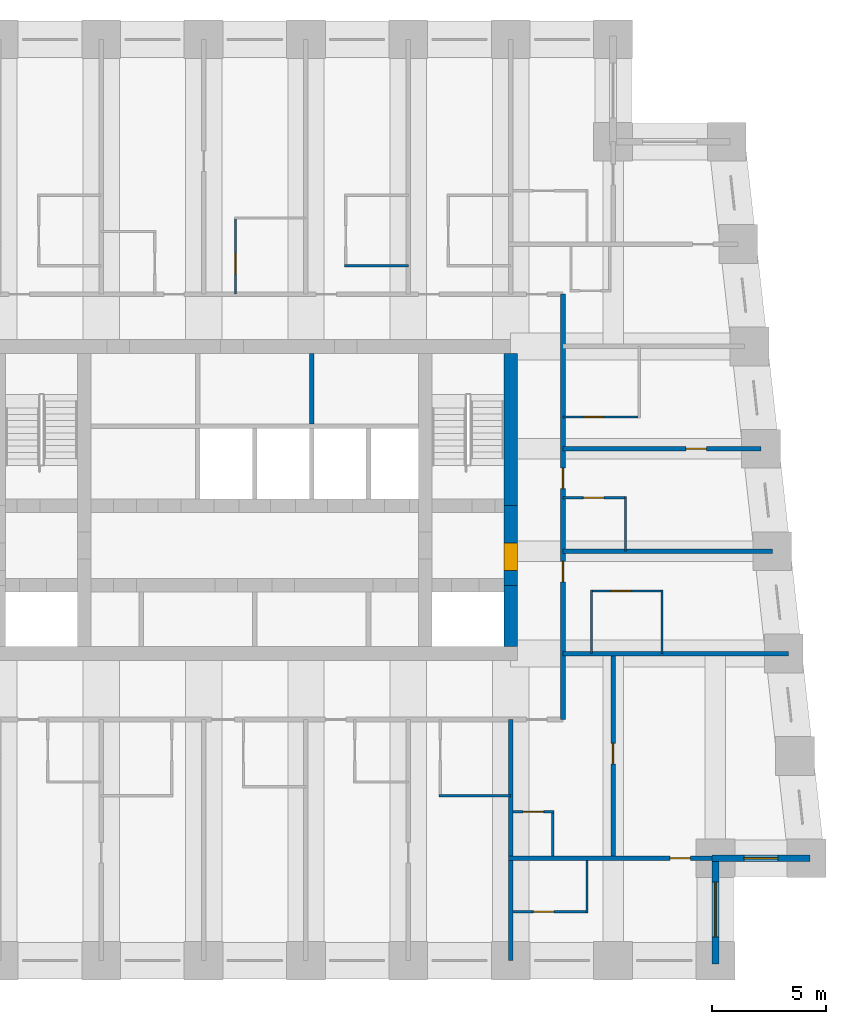
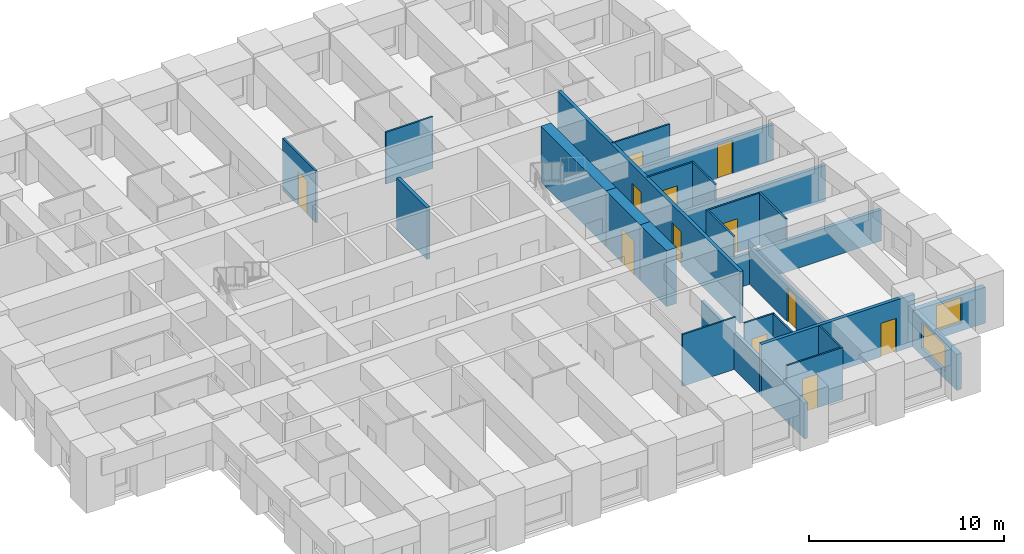
# One storey, part 5 of 8: 26 walls, 12 doors, 2 windows, 14 openings.
"""IFC4 building model written with IfcOpenShell, lengths in metres."""

import ifcopenshell
import ifcopenshell.guid

model = None  # the IFC model being written
_history = None  # IfcOwnerHistory: only IFC2X3 demands one
_inside = {}  # id of a spatial element -> (the spatial element, [elements in it])
_under = {}  # id of a project, library or spatial element -> (it, [spatial elements below it])
_declared = {}  # id of a project -> (the project, [libraries it declares])
_typed = {}  # id of a type object -> (the type object, [elements of that type])
_made_of = {}  # id of a material, layer set ... -> (it, [elements and type objects made of it])


def new_model(schema):
    """Start an empty IFC model of exactly this schema.

    Asked for "IFC4X3", IfcOpenShell would pick the latest addendum, in which some entities
    have other attributes; the version numbers below select the first issue.
    IFC2X3 requires an IfcOwnerHistory on every rooted entity: one is made here for all.
    """
    global model, _history
    if schema == "IFC4X3":
        model = ifcopenshell.file(schema_version=(4, 3, 0, 0))
    else:
        model = ifcopenshell.file(schema=schema)
    _inside.clear()
    _under.clear()
    _declared.clear()
    _typed.clear()
    _made_of.clear()
    _history = None
    if model.schema == "IFC2X3":
        org = make("IfcOrganization", Name="unknown")
        user = make(
            "IfcPersonAndOrganization",
            ThePerson=make("IfcPerson", FamilyName="unknown"),
            TheOrganization=org,
        )
        app = make(
            "IfcApplication",
            ApplicationDeveloper=org,
            Version="unknown",
            ApplicationFullName="unknown",
            ApplicationIdentifier="unknown",
        )
        _history = make(
            "IfcOwnerHistory",
            OwningUser=user,
            OwningApplication=app,
            ChangeAction="ADDED",
            CreationDate=0,
        )
    return model


def make(cls, **values):
    """One entity of the class cls with the attributes given. An attribute that is None is left unset."""
    return model.create_entity(
        cls, **{name: value for name, value in values.items() if value is not None}
    )


def rooted(cls, **values):
    """An entity with a GlobalId (a new one), such as an element, a storey or a relation."""
    return make(cls, GlobalId=ifcopenshell.guid.new(), OwnerHistory=_history, **values)


def si_unit(unit_type, name, prefix=None):
    """IfcSIUnit, for example si_unit("LENGTHUNIT", "METRE", prefix="MILLI")."""
    return make("IfcSIUnit", UnitType=unit_type, Prefix=prefix, Name=name)


def assignment(units):
    """IfcUnitAssignment: the units of a project."""
    return None if units is None else make("IfcUnitAssignment", Units=units)


def point(xyz):
    """IfcCartesianPoint."""
    return None if xyz is None else make("IfcCartesianPoint", Coordinates=xyz)


def direction(xyz):
    """IfcDirection."""
    return None if xyz is None else make("IfcDirection", DirectionRatios=xyz)


def frame(location, z_axis=None, x_axis=None):
    """IfcAxis2Placement3D, a coordinate frame: its origin and axes. An axis left out is left unset."""
    return make(
        "IfcAxis2Placement3D",
        Location=point(location),
        Axis=direction(z_axis),
        RefDirection=direction(x_axis),
    )


def frame_2d(location, x_axis=None):
    """IfcAxis2Placement2D, a coordinate frame in the plane: its origin and x axis."""
    return make(
        "IfcAxis2Placement2D", Location=point(location), RefDirection=direction(x_axis)
    )


def origin():
    """The frame at (0, 0, 0) with its axes left unset."""
    return frame((0.0, 0.0, 0.0))


def place(relative_to, where):
    """IfcLocalPlacement: puts the frame where relative to a parent placement (None: the world)."""
    return make(
        "IfcLocalPlacement", PlacementRelTo=relative_to, RelativePlacement=where
    )


def context(
    kind, dimensions, precision=None, world=None, true_north=None, identifier=None
):
    """IfcGeometricRepresentationContext, for example the 3D "Model" context."""
    return make(
        "IfcGeometricRepresentationContext",
        ContextIdentifier=identifier,
        ContextType=kind,
        CoordinateSpaceDimension=dimensions,
        Precision=precision,
        WorldCoordinateSystem=world,
        TrueNorth=true_north,
    )


def subcontext(parent, identifier, kind, view, scale=None):
    """IfcGeometricRepresentationSubContext, for example "Body" below "Model"."""
    return make(
        "IfcGeometricRepresentationSubContext",
        ContextIdentifier=identifier,
        ContextType=kind,
        ParentContext=parent,
        TargetScale=scale,
        TargetView=view,
    )


def project(units=None, contexts=None):
    """IfcProject with its units and contexts."""
    return rooted(
        "IfcProject",
        Name="project",
        RepresentationContexts=contexts,
        UnitsInContext=assignment(units),
    )


def spatial(cls, under=None, at=None, **own):
    """A site, building, storey or space (cls), placed at a placement, below another one or the project."""
    s = rooted(cls, ObjectPlacement=at, **own)
    if under is not None:
        _under.setdefault(under.id(), (under, []))[1].append(s)
    return s


def profile(cls, at=None, kind="AREA", **sizes):
    """A parametric profile (cls). Its sizes go by their IFC names, for example OverallWidth=200.0."""
    return make(cls, ProfileType=kind, Position=at, **sizes)


def rectangle(**sizes):
    """IfcRectangleProfileDef."""
    return profile("IfcRectangleProfileDef", **sizes)


def extrude(swept, where, along, depth):
    """IfcExtrudedAreaSolid: the profile swept, set in the frame where, extruded along a direction by depth."""
    return make(
        "IfcExtrudedAreaSolid",
        SweptArea=swept,
        Position=where,
        ExtrudedDirection=direction(along),
        Depth=depth,
    )


def shape(context_of_items, identifier, shape_type, items):
    """IfcShapeRepresentation: the items that make up one representation, for example the "Body"."""
    return make(
        "IfcShapeRepresentation",
        ContextOfItems=context_of_items,
        RepresentationIdentifier=identifier,
        RepresentationType=shape_type,
        Items=items,
    )


def material(Name=None, Category=None):
    """IfcMaterial."""
    return make("IfcMaterial", Name=Name, Category=Category)


def layer(
    of_material, thickness, ventilated=None, Name=None, Category=None, Priority=None
):
    """IfcMaterialLayer: one layer of a wall or slab, of a material (None: an air gap)."""
    return make(
        "IfcMaterialLayer",
        Material=of_material,
        LayerThickness=thickness,
        IsVentilated=ventilated,
        Name=Name,
        Category=Category,
        Priority=Priority,
    )


def layer_set(layers, Name=None):
    """IfcMaterialLayerSet."""
    return make("IfcMaterialLayerSet", MaterialLayers=layers, LayerSetName=Name)


def made_of(thing, what):
    """Note that an element or type object is made of a material, layer set ...; save() writes the relation."""
    if what is not None:
        _made_of.setdefault(what.id(), (what, []))[1].append(thing)
    return thing


def type_object(cls, material=None, **own):
    """A type object (cls), such as IfcWallType, which elements share."""
    return made_of(rooted(cls, **own), material)


def element(
    cls,
    number,
    at=None,
    inside=None,
    cuts=None,
    type_object=None,
    material=None,
    context=None,
    identifier="Body",
    shape_type=None,
    held_by="IfcProductDefinitionShape",
    body=None,
    shapes=None,
    **own,
):
    """One element of the class cls, such as IfcWall. Its Tag is "e" and its number.

    at: its placement. inside: the storey or other place that contains it. cuts: it is an
    opening in that element (IfcRelVoidsElement). A single representation is given by context,
    identifier, shape_type and body (its items); several are given by shapes. held_by: the class
    of the entity that holds the representations. save() writes the other relations.
    """
    e = rooted(cls, Tag="e%d" % number, ObjectPlacement=at, **own)
    if body is not None:
        shapes = [shape(context, identifier, shape_type, body)]
    if shapes is not None:
        e.Representation = make(held_by, Representations=shapes)
    if inside is not None:
        _inside.setdefault(inside.id(), (inside, []))[1].append(e)
    if cuts is not None:
        rooted(
            "IfcRelVoidsElement", RelatingBuildingElement=cuts, RelatedOpeningElement=e
        )
    if type_object is not None:
        _typed.setdefault(type_object.id(), (type_object, []))[1].append(e)
    return made_of(e, material)


def fill(opening, filler):
    """IfcRelFillsElement: the door or window that sits in an opening."""
    return rooted(
        "IfcRelFillsElement",
        RelatingOpeningElement=opening,
        RelatedBuildingElement=filler,
    )


def aggregate(whole, parts):
    """IfcRelAggregates: a whole, such as a stair, and the parts it consists of."""
    return rooted("IfcRelAggregates", RelatingObject=whole, RelatedObjects=parts)


def save(model, path):
    """Write the relations noted so far, then the file.

    IfcRelAggregates (storeys below a building ...), IfcRelContainedInSpatialStructure (elements
    in a storey), IfcRelDefinesByType, IfcRelAssociatesMaterial and IfcRelDeclares: one each for
    every whole, place, type object, material and project.
    """
    for whole, parts in _under.values():
        aggregate(whole, parts)
    for where, things in _inside.values():
        rooted(
            "IfcRelContainedInSpatialStructure",
            RelatedElements=things,
            RelatingStructure=where,
        )
    for kind, things in _typed.values():
        rooted("IfcRelDefinesByType", RelatedObjects=things, RelatingType=kind)
    for what, things in _made_of.values():
        rooted("IfcRelAssociatesMaterial", RelatedObjects=things, RelatingMaterial=what)
    for by, libraries in _declared.values():
        rooted("IfcRelDeclares", RelatingContext=by, RelatedDefinitions=libraries)
    model.write(path)


model = new_model("IFC4")

# Units and contexts
model_context = context("Model", 3, precision=1e-05, world=origin(), true_north=direction((0.0, 1.0)))
body_context = subcontext(model_context, "Body", "Model", "MODEL_VIEW")
ifc_project = project(units=[si_unit("LENGTHUNIT", "METRE"), si_unit("AREAUNIT", "SQUARE_METRE"), si_unit("VOLUMEUNIT", "CUBIC_METRE"), si_unit("PLANEANGLEUNIT", "RADIAN"), si_unit("MASSUNIT", "GRAM", prefix="KILO")], contexts=[model_context])

# Site, building, storey
site_placement = place(None, origin())
site = spatial("IfcSite", under=ifc_project, at=site_placement, CompositionType="ELEMENT")
building_placement = place(site_placement, origin())
building = spatial("IfcBuilding", under=site, at=building_placement, Name="Kilele Tower Hotel", CompositionType="ELEMENT")
storey_placement = place(building_placement, frame((0.0, 0.0, 165.89990234375)))
storey = spatial("IfcBuildingStorey", under=building, at=storey_placement, Name="L42", CompositionType="ELEMENT", Elevation=165.89990234375)

# Walls
ifc_material_1 = material(Name="Moisture-resistant board")
ifc_layer_1 = layer(ifc_material_1, 0.10009765625)
ifc_layer_set_1 = layer_set([ifc_layer_1], Name="Moisture-resistant board")
wall_type_1 = type_object("IfcWallType", Name="Bathroom partition 100", PredefinedType="PLUMBINGWALL", material=ifc_layer_set_1)
wall_1_placement = place(storey_placement, frame((32.85009765625, 7.25, 0.0), z_axis=(0.0, 0.0, 1.0), x_axis=(1.0, 0.0, 0.0)))
element("IfcWall", 1, at=wall_1_placement, inside=storey, type_object=wall_type_1, Name="Bathroom partition 100 L42", PredefinedType="PLUMBINGWALL", context=body_context, shape_type="SweptSolid", body=[
    extrude(rectangle(XDim=3.14990234375, YDim=0.10009765625, at=frame_2d((1.574951171875, 0.0))), origin(), (0.0, 0.0, 1.0), 3.25),
])
for number, where, z_axis, x_axis, name in (
    (2, (39.550048828125, 13.5, 0.0), (0.0, 0.0, 1.0), (0.0, 1.0, 0.0), "Bathroom partition 100 L42"),
    (3, (42.64990234375, 13.5, 0.0), (0.0, 0.0, 1.0), (0.0, 1.0, 0.0), "Bathroom partition 100 L42"),
):
    element("IfcWall", number, at=place(storey_placement, frame(where, z_axis=z_axis, x_axis=x_axis)), inside=storey, type_object=wall_type_1, Name=name, PredefinedType="PLUMBINGWALL", context=body_context, shape_type="SweptSolid", body=[
        extrude(rectangle(XDim=2.800048828125, YDim=0.10009765625, at=frame_2d((1.39990234375, 0.0))), origin(), (0.0, 0.0, 1.0), 3.25),
    ])

# Wall, opening, door
wall_2_placement = place(storey_placement, frame((39.5, 16.25, 0.0), z_axis=(0.0, 0.0, 1.0), x_axis=(1.0, 0.0, 0.0)))
wall_2 = element("IfcWall", 4, at=wall_2_placement, inside=storey, type_object=wall_type_1, Name="Bathroom partition 100 L42", PredefinedType="PLUMBINGWALL", context=body_context, shape_type="SweptSolid", body=[
    extrude(rectangle(XDim=3.199951171875, YDim=0.10009765625, at=frame_2d((1.60009765625, 0.0))), origin(), (0.0, 0.0, 1.0), 3.25),
])
opening_1_placement = place(wall_2_placement, frame((0.89990234375, 0.0, 0.0)))
opening_1 = element("IfcOpeningElement", 5, at=opening_1_placement, cuts=wall_2, Name="Opening D2A", PredefinedType="OPENING", context=body_context, shape_type="SweptSolid", body=[
    extrude(rectangle(XDim=0.89990234375, YDim=2.10009765625, at=frame_2d((0.449951171875, 1.050048828125))), frame((0.0, 0.06005859375, 0.0), z_axis=(0.0, -1.0, 0.0), x_axis=(1.0, 0.0, 0.0)), (0.0, 0.0, 1.0), 0.1201171875),
])
ifc_material_2 = material(Name="Timber door leaf in hardwood frame", Category="wood")
door_type_1 = type_object("IfcDoorType", Name="Bathroom door 900", OperationType="SINGLE_SWING_LEFT", PredefinedType="DOOR", material=ifc_material_2)
door_1_placement = place(opening_1_placement, origin())
door_1 = element("IfcDoor", 6, at=door_1_placement, inside=storey, type_object=door_type_1, Name="Bathroom door 4206B", OperationType="SINGLE_SWING_LEFT", OverallHeight=2.10009765625, OverallWidth=0.89990234375, PredefinedType="DOOR", context=body_context, shape_type="SweptSolid", body=[
    extrude(rectangle(XDim=0.89990234375, YDim=2.10009765625, at=frame_2d((0.449951171875, 1.050048828125))), frame((0.0, 0.02490234375, 0.0), z_axis=(0.0, -1.0, 0.0), x_axis=(1.0, 0.0, 0.0)), (0.0, 0.0, 1.0), 0.050048828125),
])
fill(opening_1, door_1)

# Wall
wall_3_placement = place(storey_placement, frame((41.050048828125, 18.0, 0.0), z_axis=(0.0, 0.0, 1.0), x_axis=(0.0, 1.0, 0.0)))
element("IfcWall", 7, at=wall_3_placement, inside=storey, type_object=wall_type_1, Name="Bathroom partition 100 L42", PredefinedType="PLUMBINGWALL", context=body_context, shape_type="SweptSolid", body=[
    extrude(rectangle(XDim=2.39990234375, YDim=0.10009765625, at=frame_2d((1.199951171875, 0.0))), origin(), (0.0, 0.0, 1.0), 3.25),
])

# Wall, opening, door
wall_4_placement = place(storey_placement, frame((38.300048828125, 20.35009765625, 0.0), z_axis=(0.0, 0.0, 1.0), x_axis=(1.0, 0.0, 0.0)))
wall_4 = element("IfcWall", 8, at=wall_4_placement, inside=storey, type_object=wall_type_1, Name="Bathroom partition 100 L42", PredefinedType="PLUMBINGWALL", context=body_context, shape_type="SweptSolid", body=[
    extrude(rectangle(XDim=2.800048828125, YDim=0.10009765625, at=frame_2d((1.39990234375, 0.0))), origin(), (0.0, 0.0, 1.0), 3.25),
])
opening_2_placement = place(wall_4_placement, frame((0.89990234375, 0.0, 0.0)))
opening_2 = element("IfcOpeningElement", 9, at=opening_2_placement, cuts=wall_4, Name="Opening D2A", PredefinedType="OPENING", context=body_context, shape_type="SweptSolid", body=[
    extrude(rectangle(XDim=0.89990234375, YDim=2.10009765625, at=frame_2d((0.449951171875, 1.050048828125))), frame((0.0, 0.06005859375, 0.0), z_axis=(0.0, -1.0, 0.0), x_axis=(1.0, 0.0, 0.0)), (0.0, 0.0, 1.0), 0.1201171875),
])
door_2_placement = place(opening_2_placement, origin())
door_2 = element("IfcDoor", 10, at=door_2_placement, inside=storey, type_object=door_type_1, Name="Bathroom door 4207B", OperationType="SINGLE_SWING_LEFT", OverallHeight=2.10009765625, OverallWidth=0.89990234375, PredefinedType="DOOR", context=body_context, shape_type="SweptSolid", body=[
    extrude(rectangle(XDim=0.89990234375, YDim=2.10009765625, at=frame_2d((0.449951171875, 1.050048828125))), frame((0.0, 0.02490234375, 0.0), z_axis=(0.0, -1.0, 0.0), x_axis=(1.0, 0.0, 0.0)), (0.0, 0.0, 1.0), 0.050048828125),
])
fill(opening_2, door_2)

wall_5_placement = place(storey_placement, frame((38.300048828125, 23.89990234375, 0.0), z_axis=(0.0, 0.0, 1.0), x_axis=(1.0, 0.0, 0.0)))
wall_5 = element("IfcWall", 11, at=wall_5_placement, inside=storey, type_object=wall_type_1, Name="Bathroom partition 100 L42", PredefinedType="PLUMBINGWALL", context=body_context, shape_type="SweptSolid", body=[
    extrude(rectangle(XDim=3.39990234375, YDim=0.10009765625, at=frame_2d((1.699951171875, 0.0))), origin(), (0.0, 0.0, 1.0), 3.25),
])
opening_3_placement = place(wall_5_placement, frame((1.7998046875, 0.0, 0.0), z_axis=(0.0, 0.0, 1.0), x_axis=(-1.0, 0.0, 0.0)))
opening_3 = element("IfcOpeningElement", 12, at=opening_3_placement, cuts=wall_5, Name="Opening D2A", PredefinedType="OPENING", context=body_context, shape_type="SweptSolid", body=[
    extrude(rectangle(XDim=0.89990234375, YDim=2.10009765625, at=frame_2d((0.449951171875, 1.050048828125))), frame((0.0, 0.06005859375, 0.0), z_axis=(0.0, -1.0, 0.0), x_axis=(1.0, 0.0, 0.0)), (0.0, 0.0, 1.0), 0.1201171875),
])
door_3_placement = place(opening_3_placement, origin())
door_3 = element("IfcDoor", 13, at=door_3_placement, inside=storey, type_object=door_type_1, Name="Bathroom door 4208B", OperationType="SINGLE_SWING_RIGHT", OverallHeight=2.10009765625, OverallWidth=0.89990234375, PredefinedType="DOOR", context=body_context, shape_type="SweptSolid", body=[
    extrude(rectangle(XDim=0.89990234375, YDim=2.10009765625, at=frame_2d((0.449951171875, 1.050048828125))), frame((0.0, 0.02490234375, 0.0), z_axis=(0.0, -1.0, 0.0), x_axis=(1.0, 0.0, 0.0)), (0.0, 0.0, 1.0), 0.050048828125),
])
fill(opening_3, door_3)

wall_6_placement = place(storey_placement, frame((23.89990234375, 29.300048828125, 0.0), z_axis=(0.0, 0.0, 1.0), x_axis=(0.0, 1.0, 0.0)))
wall_6 = element("IfcWall", 14, at=wall_6_placement, inside=storey, type_object=wall_type_1, Name="Bathroom partition 100 L42", PredefinedType="PLUMBINGWALL", context=body_context, shape_type="SweptSolid", body=[
    extrude(rectangle(XDim=3.39990234375, YDim=0.10009765625, at=frame_2d((1.699951171875, 0.0))), origin(), (0.0, 0.0, 1.0), 3.25),
])
opening_4_placement = place(wall_6_placement, frame((0.89990234375, 0.0, 0.0)))
opening_4 = element("IfcOpeningElement", 15, at=opening_4_placement, cuts=wall_6, Name="Opening D2A", PredefinedType="OPENING", context=body_context, shape_type="SweptSolid", body=[
    extrude(rectangle(XDim=0.89990234375, YDim=2.10009765625, at=frame_2d((0.449951171875, 1.050048828125))), frame((0.0, 0.06005859375, 0.0), z_axis=(0.0, -1.0, 0.0), x_axis=(1.0, 0.0, 0.0)), (0.0, 0.0, 1.0), 0.1201171875),
])
door_4_placement = place(opening_4_placement, origin())
door_4 = element("IfcDoor", 16, at=door_4_placement, inside=storey, type_object=door_type_1, Name="Bathroom door 4211B", OperationType="SINGLE_SWING_LEFT", OverallHeight=2.10009765625, OverallWidth=0.89990234375, PredefinedType="DOOR", context=body_context, shape_type="SweptSolid", body=[
    extrude(rectangle(XDim=0.89990234375, YDim=2.10009765625, at=frame_2d((0.449951171875, 1.050048828125))), frame((0.0, 0.02490234375, 0.0), z_axis=(0.0, -1.0, 0.0), x_axis=(1.0, 0.0, 0.0)), (0.0, 0.0, 1.0), 0.050048828125),
])
fill(opening_4, door_4)

# Walls
wall_7_placement = place(storey_placement, frame((28.699951171875, 30.550048828125, 0.0), z_axis=(0.0, 0.0, 1.0), x_axis=(1.0, 0.0, 0.0)))
element("IfcWall", 17, at=wall_7_placement, inside=storey, type_object=wall_type_1, Name="Bathroom partition 100 L42", PredefinedType="PLUMBINGWALL", context=body_context, shape_type="SweptSolid", body=[
    extrude(rectangle(XDim=2.800048828125, YDim=0.10009765625, at=frame_2d((1.39990234375, 0.0))), origin(), (0.0, 0.0, 1.0), 3.25),
])
wall_8_placement = place(storey_placement, frame((37.85009765625, 4.60009765625, 0.0), z_axis=(0.0, 0.0, 1.0), x_axis=(0.0, 1.0, 0.0)))
element("IfcWall", 18, at=wall_8_placement, inside=storey, type_object=wall_type_1, Name="Bathroom partition 100 L42", PredefinedType="PLUMBINGWALL", context=body_context, shape_type="SweptSolid", body=[
    extrude(rectangle(XDim=2.0, YDim=0.10009765625, at=frame_2d((1.0, 0.0))), origin(), (0.0, 0.0, 1.0), 3.25),
])

# Wall, opening, door
wall_9_placement = place(storey_placement, frame((36.10009765625, 6.550048828125, 0.0), z_axis=(0.0, 0.0, 1.0), x_axis=(1.0, 0.0, 0.0)))
wall_9 = element("IfcWall", 19, at=wall_9_placement, inside=storey, type_object=wall_type_1, Name="Bathroom partition 100 L42", PredefinedType="PLUMBINGWALL", context=body_context, shape_type="SweptSolid", body=[
    extrude(rectangle(XDim=1.7998046875, YDim=0.10009765625, at=frame_2d((0.89990234375, 0.0))), origin(), (0.0, 0.0, 1.0), 3.25),
])
opening_5_placement = place(wall_9_placement, frame((0.449951171875, 0.0, 0.0)))
opening_5 = element("IfcOpeningElement", 20, at=opening_5_placement, cuts=wall_9, Name="Opening D2A", PredefinedType="OPENING", context=body_context, shape_type="SweptSolid", body=[
    extrude(rectangle(XDim=0.89990234375, YDim=2.10009765625, at=frame_2d((0.449951171875, 1.050048828125))), frame((0.0, 0.06005859375, 0.0), z_axis=(0.0, -1.0, 0.0), x_axis=(1.0, 0.0, 0.0)), (0.0, 0.0, 1.0), 0.1201171875),
])
door_5_placement = place(opening_5_placement, origin())
door_5 = element("IfcDoor", 21, at=door_5_placement, inside=storey, type_object=door_type_1, Name="Bathroom door 4219P", OperationType="SINGLE_SWING_LEFT", OverallHeight=2.10009765625, OverallWidth=0.89990234375, PredefinedType="DOOR", context=body_context, shape_type="SweptSolid", body=[
    extrude(rectangle(XDim=0.89990234375, YDim=2.10009765625, at=frame_2d((0.449951171875, 1.050048828125))), frame((0.0, 0.02490234375, 0.0), z_axis=(0.0, -1.0, 0.0), x_axis=(1.0, 0.0, 0.0)), (0.0, 0.0, 1.0), 0.050048828125),
])
fill(opening_5, door_5)

# Wall
wall_10_placement = place(storey_placement, frame((39.35009765625, 4.39990234375, 0.0), z_axis=(0.0, 0.0, 1.0), x_axis=(0.0, -1.0, 0.0)))
element("IfcWall", 22, at=wall_10_placement, inside=storey, type_object=wall_type_1, Name="Bathroom partition 100 L42", PredefinedType="PLUMBINGWALL", context=body_context, shape_type="SweptSolid", body=[
    extrude(rectangle(XDim=2.2998046875, YDim=0.10009765625, at=frame_2d((1.14990234375, 0.0))), origin(), (0.0, 0.0, 1.0), 3.25),
])

# Wall, opening, door
wall_11_placement = place(storey_placement, frame((36.10009765625, 2.14990234375, 0.0), z_axis=(0.0, 0.0, 1.0), x_axis=(1.0, 0.0, 0.0)))
wall_11 = element("IfcWall", 23, at=wall_11_placement, inside=storey, type_object=wall_type_1, Name="Bathroom partition 100 L42", PredefinedType="PLUMBINGWALL", context=body_context, shape_type="SweptSolid", body=[
    extrude(rectangle(XDim=3.2998046875, YDim=0.10009765625, at=frame_2d((1.64990234375, 0.0))), origin(), (0.0, 0.0, 1.0), 3.25),
])
opening_6_placement = place(wall_11_placement, frame((1.7998046875, 0.0, 0.0), z_axis=(0.0, 0.0, 1.0), x_axis=(-1.0, 0.0, 0.0)))
opening_6 = element("IfcOpeningElement", 24, at=opening_6_placement, cuts=wall_11, Name="Opening D2A", PredefinedType="OPENING", context=body_context, shape_type="SweptSolid", body=[
    extrude(rectangle(XDim=0.89990234375, YDim=2.10009765625, at=frame_2d((0.449951171875, 1.050048828125))), frame((0.0, 0.06005859375, 0.0), z_axis=(0.0, -1.0, 0.0), x_axis=(1.0, 0.0, 0.0)), (0.0, 0.0, 1.0), 0.1201171875),
])
door_6_placement = place(opening_6_placement, origin())
door_6 = element("IfcDoor", 25, at=door_6_placement, inside=storey, type_object=door_type_1, Name="Bathroom door 4221B", OperationType="SINGLE_SWING_RIGHT", OverallHeight=2.10009765625, OverallWidth=0.89990234375, PredefinedType="DOOR", context=body_context, shape_type="SweptSolid", body=[
    extrude(rectangle(XDim=0.89990234375, YDim=2.10009765625, at=frame_2d((0.449951171875, 1.050048828125))), frame((0.0, 0.02490234375, 0.0), z_axis=(0.0, -1.0, 0.0), x_axis=(1.0, 0.0, 0.0)), (0.0, 0.0, 1.0), 0.050048828125),
])
fill(opening_6, door_6)

# Wall
ifc_material_3 = material(Name="Concrete C70/85", Category="concrete")
ifc_layer_2 = layer(ifc_material_3, 0.60009765625)
ifc_layer_set_2 = layer_set([ifc_layer_2], Name="Concrete C70/85")
wall_type_2 = type_object("IfcWallType", Name="Core wall 600 C70/85", PredefinedType="SHEAR", material=ifc_layer_set_2)
wall_12_placement = place(storey_placement, frame((36.0, 13.800048828125, 0.0), z_axis=(0.0, 0.0, 1.0), x_axis=(0.0, 1.0, 0.0)))
element("IfcWall", 26, at=wall_12_placement, inside=storey, type_object=wall_type_2, Name="Core wall E1 L42", PredefinedType="SHEAR", context=body_context, shape_type="SweptSolid", body=[
    extrude(rectangle(XDim=2.699951171875, YDim=0.60009765625, at=frame_2d((1.35009765625, 0.0))), origin(), (0.0, 0.0, 1.0), 3.5),
])

# Wall, opening, door
wall_13_placement = place(storey_placement, frame((36.0, 16.5, 0.0), z_axis=(0.0, 0.0, 1.0), x_axis=(0.0, 1.0, 0.0)))
wall_13 = element("IfcWall", 27, at=wall_13_placement, inside=storey, type_object=wall_type_2, Name="Core wall E2 L42", PredefinedType="SHEAR", context=body_context, shape_type="SweptSolid", body=[
    extrude(rectangle(XDim=3.5, YDim=0.60009765625, at=frame_2d((1.75, 0.0))), origin(), (0.0, 0.0, 1.0), 3.5),
])
opening_7_placement = place(wall_13_placement, frame((0.64990234375, 0.0, 0.0)))
opening_7 = element("IfcOpeningElement", 28, at=opening_7_placement, cuts=wall_13, Name="Opening D4", PredefinedType="OPENING", context=body_context, shape_type="SweptSolid", body=[
    extrude(rectangle(XDim=1.199951171875, YDim=2.10009765625, at=frame_2d((0.60009765625, 1.050048828125))), frame((0.0, 0.31005859375, 0.0), z_axis=(0.0, -1.0, 0.0), x_axis=(1.0, 0.0, 0.0)), (0.0, 0.0, 1.0), 0.6201171875),
])
ifc_material_4 = material(Name="Timber door leaf in hardwood frame", Category="wood")
door_type_2 = type_object("IfcDoorType", Name="Firefighting lobby door 1200", OperationType="SINGLE_SWING_LEFT", PredefinedType="DOOR", material=ifc_material_4)
door_7_placement = place(opening_7_placement, origin())
door_7 = element("IfcDoor", 29, at=door_7_placement, inside=storey, type_object=door_type_2, Name="Lobby door L42", OperationType="SINGLE_SWING_LEFT", OverallHeight=2.10009765625, OverallWidth=1.199951171875, PredefinedType="DOOR", context=body_context, shape_type="SweptSolid", body=[
    extrude(rectangle(XDim=1.199951171875, YDim=2.10009765625, at=frame_2d((0.60009765625, 1.050048828125))), frame((0.0, 0.2998046875, 0.0), z_axis=(0.0, -1.0, 0.0), x_axis=(1.0, 0.0, 0.0)), (0.0, 0.0, 1.0), 0.599609375),
])
fill(opening_7, door_7)

# Wall
wall_14_placement = place(storey_placement, frame((36.0, 20.0, 0.0), z_axis=(0.0, 0.0, 1.0), x_axis=(0.0, 1.0, 0.0)))
element("IfcWall", 30, at=wall_14_placement, inside=storey, type_object=wall_type_2, Name="Core wall E3 L42", PredefinedType="SHEAR", context=body_context, shape_type="SweptSolid", body=[
    extrude(rectangle(XDim=6.699951171875, YDim=0.60009765625, at=frame_2d((3.35009765625, 0.0))), origin(), (0.0, 0.0, 1.0), 3.5),
])

# Wall, openings, doors
ifc_material_5 = material(Name="Blockwork, plastered both sides", Category="masonry")
ifc_layer_3 = layer(ifc_material_5, 0.199951171875)
ifc_layer_set_3 = layer_set([ifc_layer_3], Name="Blockwork, plastered both sides")
wall_type_3 = type_object("IfcWallType", Name="Corridor wall 200", PredefinedType="PARTITIONING", material=ifc_layer_set_3)
wall_15_placement = place(storey_placement, frame((38.300048828125, 10.60009765625, 0.0), z_axis=(0.0, 0.0, 1.0), x_axis=(0.0, 1.0, 0.0)))
wall_15 = element("IfcWall", 31, at=wall_15_placement, inside=storey, type_object=wall_type_3, Name="Corridor wall 200 L42", PredefinedType="PARTITIONING", context=body_context, shape_type="SweptSolid", body=[
    extrude(rectangle(XDim=18.699951171875, YDim=0.199951171875, at=frame_2d((9.35009765625, 0.0))), origin(), (0.0, 0.0, 1.0), 3.25),
])
opening_8_placement = place(wall_15_placement, frame((6.949951171875, 0.0, 0.0), z_axis=(0.0, 0.0, 1.0), x_axis=(-1.0, 0.0, 0.0)))
opening_8 = element("IfcOpeningElement", 32, at=opening_8_placement, cuts=wall_15, Name="Opening D1", PredefinedType="OPENING", context=body_context, shape_type="SweptSolid", body=[
    extrude(rectangle(XDim=0.89990234375, YDim=2.10009765625, at=frame_2d((0.449951171875, 1.050048828125))), frame((0.0, 0.10986328125, 0.0), z_axis=(0.0, -1.0, 0.0), x_axis=(1.0, 0.0, 0.0)), (0.0, 0.0, 1.0), 0.219970703125),
])
opening_9_placement = place(wall_15_placement, frame((11.0498046875, 0.0, 0.0), z_axis=(0.0, 0.0, 1.0), x_axis=(-1.0, 0.0, 0.0)))
opening_9 = element("IfcOpeningElement", 33, at=opening_9_placement, cuts=wall_15, Name="Opening D1", PredefinedType="OPENING", context=body_context, shape_type="SweptSolid", body=[
    extrude(rectangle(XDim=0.89990234375, YDim=2.10009765625, at=frame_2d((0.449951171875, 1.050048828125))), frame((0.0, 0.10986328125, 0.0), z_axis=(0.0, -1.0, 0.0), x_axis=(1.0, 0.0, 0.0)), (0.0, 0.0, 1.0), 0.219970703125),
])
ifc_material_6 = material(Name="Timber door leaf in hardwood frame", Category="wood")
door_type_3 = type_object("IfcDoorType", Name="Guest room entrance door 900", OperationType="SINGLE_SWING_LEFT", PredefinedType="DOOR", material=ifc_material_6)
door_8_placement = place(opening_8_placement, origin())
door_8 = element("IfcDoor", 34, at=door_8_placement, inside=storey, type_object=door_type_3, Name="Room entrance 4206", OperationType="SINGLE_SWING_LEFT", OverallHeight=2.10009765625, OverallWidth=0.89990234375, PredefinedType="DOOR", context=body_context, shape_type="SweptSolid", body=[
    extrude(rectangle(XDim=0.89990234375, YDim=2.10009765625, at=frame_2d((0.449951171875, 1.050048828125))), frame((0.0, 0.02490234375, 0.0), z_axis=(0.0, -1.0, 0.0), x_axis=(1.0, 0.0, 0.0)), (0.0, 0.0, 1.0), 0.050048828125),
])
fill(opening_8, door_8)
door_9_placement = place(opening_9_placement, origin())
door_9 = element("IfcDoor", 35, at=door_9_placement, inside=storey, type_object=door_type_3, Name="Room entrance 4207", OperationType="SINGLE_SWING_RIGHT", OverallHeight=2.10009765625, OverallWidth=0.89990234375, PredefinedType="DOOR", context=body_context, shape_type="SweptSolid", body=[
    extrude(rectangle(XDim=0.89990234375, YDim=2.10009765625, at=frame_2d((0.449951171875, 1.050048828125))), frame((0.0, 0.02490234375, 0.0), z_axis=(0.0, -1.0, 0.0), x_axis=(1.0, 0.0, 0.0)), (0.0, 0.0, 1.0), 0.050048828125),
])
fill(opening_9, door_9)

# Wall, opening, door
ifc_material_7 = material(Name="Blockwork, plastered both sides", Category="masonry")
ifc_layer_4 = layer(ifc_material_7, 0.199951171875)
ifc_layer_set_4 = layer_set([ifc_layer_4], Name="Blockwork, plastered both sides")
wall_type_4 = type_object("IfcWallType", Name="Partition wall 200", PredefinedType="PARTITIONING", material=ifc_layer_set_4)
wall_16_placement = place(storey_placement, frame((40.5, 4.60009765625, 0.0), z_axis=(0.0, 0.0, 1.0), x_axis=(0.0, 1.0, 0.0)))
wall_16 = element("IfcWall", 36, at=wall_16_placement, inside=storey, type_object=wall_type_4, Name="Partition wall 200 L42", PredefinedType="PARTITIONING", context=body_context, shape_type="SweptSolid", body=[
    extrude(rectangle(XDim=8.7998046875, YDim=0.199951171875, at=frame_2d((4.39990234375, 0.0))), origin(), (0.0, 0.0, 1.0), 2.25),
])
opening_10_placement = place(wall_16_placement, frame((4.050048828125, 0.0, 0.0)))
opening_10 = element("IfcOpeningElement", 37, at=opening_10_placement, cuts=wall_16, Name="Opening D3", PredefinedType="OPENING", context=body_context, shape_type="SweptSolid", body=[
    extrude(rectangle(XDim=0.89990234375, YDim=2.10009765625, at=frame_2d((0.449951171875, 1.050048828125))), frame((0.0, 0.10986328125, 0.0), z_axis=(0.0, -1.0, 0.0), x_axis=(1.0, 0.0, 0.0)), (0.0, 0.0, 1.0), 0.219970703125),
])
ifc_material_8 = material(Name="Timber door leaf in hardwood frame", Category="wood")
door_type_4 = type_object("IfcDoorType", Name="Suite internal door 900", OperationType="SINGLE_SWING_LEFT", PredefinedType="DOOR", material=ifc_material_8)
door_10_placement = place(opening_10_placement, origin())
door_10 = element("IfcDoor", 38, at=door_10_placement, inside=storey, type_object=door_type_4, Name="Suite door 4220", OperationType="SINGLE_SWING_RIGHT", OverallHeight=2.10009765625, OverallWidth=0.89990234375, PredefinedType="DOOR", context=body_context, shape_type="SweptSolid", body=[
    extrude(rectangle(XDim=0.89990234375, YDim=2.10009765625, at=frame_2d((0.449951171875, 1.050048828125))), frame((0.0, 0.02490234375, 0.0), z_axis=(0.0, -1.0, 0.0), x_axis=(1.0, 0.0, 0.0)), (0.0, 0.0, 1.0), 0.050048828125),
])
fill(opening_10, door_10)

# Wall
ifc_material_9 = material(Name="Blockwork, plastered both sides", Category="masonry")
ifc_layer_5 = layer(ifc_material_9, 0.199951171875)
ifc_layer_set_5 = layer_set([ifc_layer_5], Name="Blockwork, plastered both sides")
wall_type_5 = type_object("IfcWallType", Name="Party wall 200", PredefinedType="PARTITIONING", material=ifc_layer_set_5)
wall_17_placement = place(storey_placement, frame((38.300048828125, 18.0, 0.0), z_axis=(0.0, 0.0, 1.0), x_axis=(1.0, 0.0, 0.0)))
element("IfcWall", 39, at=wall_17_placement, inside=storey, type_object=wall_type_5, Name="Party wall 200 L42", PredefinedType="PARTITIONING", context=body_context, shape_type="SweptSolid", body=[
    extrude(rectangle(XDim=9.198974609375, YDim=0.199951171875, at=frame_2d((4.599609375, 0.0))), origin(), (0.0, 0.0, 1.0), 2.25),
])

# Wall, opening, door
wall_18_placement = place(storey_placement, frame((38.300048828125, 22.5, 0.0), z_axis=(0.0, 0.0, 1.0), x_axis=(1.0, 0.0, 0.0)))
wall_18 = element("IfcWall", 40, at=wall_18_placement, inside=storey, type_object=wall_type_5, Name="Party wall 200 L42", PredefinedType="PARTITIONING", context=body_context, shape_type="SweptSolid", body=[
    extrude(rectangle(XDim=8.698974609375, YDim=0.199951171875, at=frame_2d((4.349609375, 0.0))), origin(), (0.0, 0.0, 1.0), 2.25),
])
opening_11_placement = place(wall_18_placement, frame((5.39990234375, 0.0, 0.0)))
opening_11 = element("IfcOpeningElement", 41, at=opening_11_placement, cuts=wall_18, Name="Opening D3", PredefinedType="OPENING", context=body_context, shape_type="SweptSolid", body=[
    extrude(rectangle(XDim=0.89990234375, YDim=2.10009765625, at=frame_2d((0.449951171875, 1.050048828125))), frame((0.0, 0.10986328125, 0.0), z_axis=(0.0, -1.0, 0.0), x_axis=(1.0, 0.0, 0.0)), (0.0, 0.0, 1.0), 0.219970703125),
])
door_11_placement = place(opening_11_placement, origin())
door_11 = element("IfcDoor", 42, at=door_11_placement, inside=storey, type_object=door_type_4, Name="Suite door 4208", OperationType="SINGLE_SWING_RIGHT", OverallHeight=2.10009765625, OverallWidth=0.89990234375, PredefinedType="DOOR", context=body_context, shape_type="SweptSolid", body=[
    extrude(rectangle(XDim=0.89990234375, YDim=2.10009765625, at=frame_2d((0.449951171875, 1.050048828125))), frame((0.0, 0.02490234375, 0.0), z_axis=(0.0, -1.0, 0.0), x_axis=(1.0, 0.0, 0.0)), (0.0, 0.0, 1.0), 0.050048828125),
])
fill(opening_11, door_11)

# Walls
wall_19_placement = place(storey_placement, frame((38.300048828125, 13.5, 0.0), z_axis=(0.0, 0.0, 1.0), x_axis=(1.0, 0.0, 0.0)))
element("IfcWall", 43, at=wall_19_placement, inside=storey, type_object=wall_type_5, Name="Party wall 200 L42", PredefinedType="PARTITIONING", context=body_context, shape_type="SweptSolid", body=[
    extrude(rectangle(XDim=9.921142578125, YDim=0.199951171875, at=frame_2d((4.96044921875, 0.0))), origin(), (0.0, 0.0, 1.0), 1.9501953125),
])
wall_20_placement = place(storey_placement, frame((36.0, 10.60009765625, 0.0), z_axis=(0.0, 0.0, 1.0), x_axis=(0.0, -1.0, 0.0)))
element("IfcWall", 44, at=wall_20_placement, inside=storey, type_object=wall_type_5, Name="Party wall 200 L42", PredefinedType="PARTITIONING", context=body_context, shape_type="SweptSolid", body=[
    extrude(rectangle(XDim=10.60009765625, YDim=0.199951171875, at=frame_2d((5.300048828125, 0.0))), origin(), (0.0, 0.0, 1.0), 2.25),
])

# Wall, opening, door
wall_21_placement = place(storey_placement, frame((35.89990234375, 4.5, 0.0), z_axis=(0.0, 0.0, 1.0), x_axis=(1.0, 0.0, 0.0)))
wall_21 = element("IfcWall", 45, at=wall_21_placement, inside=storey, type_object=wall_type_5, Name="Party wall 200 L42", PredefinedType="PARTITIONING", context=body_context, shape_type="SweptSolid", body=[
    extrude(rectangle(XDim=9.10009765625, YDim=0.199951171875, at=frame_2d((4.550048828125, 0.0))), origin(), (0.0, 0.0, 1.0), 3.25),
])
opening_12_placement = place(wall_21_placement, frame((7.10009765625, 0.0, 0.0)))
opening_12 = element("IfcOpeningElement", 46, at=opening_12_placement, cuts=wall_21, Name="Opening D3", PredefinedType="OPENING", context=body_context, shape_type="SweptSolid", body=[
    extrude(rectangle(XDim=0.89990234375, YDim=2.10009765625, at=frame_2d((0.449951171875, 1.050048828125))), frame((0.0, 0.10986328125, 0.0), z_axis=(0.0, -1.0, 0.0), x_axis=(1.0, 0.0, 0.0)), (0.0, 0.0, 1.0), 0.219970703125),
])
door_12_placement = place(opening_12_placement, origin())
door_12 = element("IfcDoor", 47, at=door_12_placement, inside=storey, type_object=door_type_4, Name="Suite door 4221", OperationType="SINGLE_SWING_RIGHT", OverallHeight=2.10009765625, OverallWidth=0.89990234375, PredefinedType="DOOR", context=body_context, shape_type="SweptSolid", body=[
    extrude(rectangle(XDim=0.89990234375, YDim=2.10009765625, at=frame_2d((0.449951171875, 1.050048828125))), frame((0.0, 0.02490234375, 0.0), z_axis=(0.0, -1.0, 0.0), x_axis=(1.0, 0.0, 0.0)), (0.0, 0.0, 1.0), 0.050048828125),
])
fill(opening_12, door_12)

# Wall, opening, window
ifc_material_10 = material(Name="Concrete C40/50 precast", Category="concrete")
ifc_layer_6 = layer(ifc_material_10, 0.260009765625, Name="Precast backing", Category="LoadBearing")
ifc_material_11 = material(Name="Reconstituted stone finish", Category="masonry")
ifc_layer_7 = layer(ifc_material_11, 0.0400390625, Name="Face mix", Category="Finish")
ifc_layer_set_6 = layer_set([ifc_layer_6, ifc_layer_7], Name="Precast concrete C40/50, reconstituted stone finish")
wall_type_6 = type_object("IfcWallType", Name="Precast stone facade wall 300", PredefinedType="STANDARD", material=ifc_layer_set_6)
wall_22_placement = place(storey_placement, frame((45.0, -0.14990234375, 0.0), z_axis=(0.0, 0.0, 1.0), x_axis=(0.0, 1.0, 0.0)))
wall_22 = element("IfcWall", 48, at=wall_22_placement, inside=storey, type_object=wall_type_6, Name="Facade wall L42 edge 4", PredefinedType="STANDARD", context=body_context, shape_type="SweptSolid", body=[
    extrude(rectangle(XDim=4.7998046875, YDim=0.300048828125, at=frame_2d((2.39990234375, 0.0))), origin(), (0.0, 0.0, 1.0), 2.25),
])
opening_13_placement = place(wall_22_placement, frame((1.199951171875, 0.0, 0.5)))
opening_13 = element("IfcOpeningElement", 49, at=opening_13_placement, cuts=wall_22, Name="Opening W3", PredefinedType="OPENING", context=body_context, shape_type="SweptSolid", body=[
    extrude(rectangle(XDim=2.39990234375, YDim=1.60009765625, at=frame_2d((1.199951171875, 0.800048828125))), frame((0.0, 0.159912109375, 0.0), z_axis=(0.0, -1.0, 0.0), x_axis=(1.0, 0.0, 0.0)), (0.0, 0.0, 1.0), 0.320068359375),
])
ifc_material_12 = material(Name="Aluminium frame, clear double glazing", Category="aluminium")
window_type_1 = type_object("IfcWindowType", Name="Window W3 2400 x 1600", PartitioningType="SINGLE_PANEL", PredefinedType="WINDOW", material=ifc_material_12)
window_1_placement = place(opening_13_placement, origin())
window_1 = element("IfcWindow", 50, at=window_1_placement, inside=storey, type_object=window_type_1, Name="Window L42", OverallHeight=1.60009765625, OverallWidth=2.39990234375, PartitioningType="SINGLE_PANEL", PredefinedType="WINDOW", context=body_context, shape_type="SweptSolid", body=[
    extrude(rectangle(XDim=2.39990234375, YDim=1.60009765625, at=frame_2d((1.199951171875, 0.800048828125))), frame((0.0, 0.030029296875, 0.0), z_axis=(0.0, -1.0, 0.0), x_axis=(1.0, 0.0, 0.0)), (0.0, 0.0, 1.0), 0.06005859375),
])
fill(opening_13, window_1)

wall_23_placement = place(storey_placement, frame((44.85009765625, 4.5, 0.0), z_axis=(0.0, 0.0, 1.0), x_axis=(1.0, 0.0, 0.0)))
wall_23 = element("IfcWall", 51, at=wall_23_placement, inside=storey, type_object=wall_type_6, Name="Facade wall L42 edge 5", PredefinedType="STANDARD", context=body_context, shape_type="SweptSolid", body=[
    extrude(rectangle(XDim=4.2998046875, YDim=0.300048828125, at=frame_2d((2.14990234375, 0.0))), origin(), (0.0, 0.0, 1.0), 2.25),
])
opening_14_placement = place(wall_23_placement, frame((1.39990234375, 0.0, 0.5)))
opening_14 = element("IfcOpeningElement", 52, at=opening_14_placement, cuts=wall_23, Name="Opening W3", PredefinedType="OPENING", context=body_context, shape_type="SweptSolid", body=[
    extrude(rectangle(XDim=1.5, YDim=1.60009765625, at=frame_2d((0.75, 0.800048828125))), frame((0.0, 0.159912109375, 0.0), z_axis=(0.0, -1.0, 0.0), x_axis=(1.0, 0.0, 0.0)), (0.0, 0.0, 1.0), 0.320068359375),
])
ifc_material_13 = material(Name="Aluminium frame, clear double glazing", Category="aluminium")
window_type_2 = type_object("IfcWindowType", Name="Window W3 1500 x 1600", PartitioningType="SINGLE_PANEL", PredefinedType="WINDOW", material=ifc_material_13)
window_2_placement = place(opening_14_placement, origin())
window_2 = element("IfcWindow", 53, at=window_2_placement, inside=storey, type_object=window_type_2, Name="Window L42", OverallHeight=1.60009765625, OverallWidth=1.5, PartitioningType="SINGLE_PANEL", PredefinedType="WINDOW", context=body_context, shape_type="SweptSolid", body=[
    extrude(rectangle(XDim=1.5, YDim=1.60009765625, at=frame_2d((0.75, 0.800048828125))), frame((0.0, 0.030029296875, 0.0), z_axis=(0.0, -1.0, 0.0), x_axis=(1.0, 0.0, 0.0)), (0.0, 0.0, 1.0), 0.06005859375),
])
fill(opening_14, window_2)

# Wall
ifc_material_14 = material(Name="Blockwork, fire-rated", Category="masonry")
ifc_layer_8 = layer(ifc_material_14, 0.199951171875)
ifc_layer_set_7 = layer_set([ifc_layer_8], Name="Blockwork, fire-rated")
wall_type_7 = type_object("IfcWallType", Name="Shaft wall 200", PredefinedType="PARTITIONING", material=ifc_layer_set_7)
wall_24_placement = place(storey_placement, frame((27.25, 23.60009765625, 0.0), z_axis=(0.0, 0.0, 1.0), x_axis=(0.0, 1.0, 0.0)))
element("IfcWall", 54, at=wall_24_placement, inside=storey, type_object=wall_type_7, Name="Shaft wall 200 L42", PredefinedType="PARTITIONING", context=body_context, shape_type="SweptSolid", body=[
    extrude(rectangle(XDim=3.099853515625, YDim=0.199951171875, at=frame_2d((1.5498046875, 0.0))), origin(), (0.0, 0.0, 1.0), 3.25),
])

save(model, "model.ifc")
